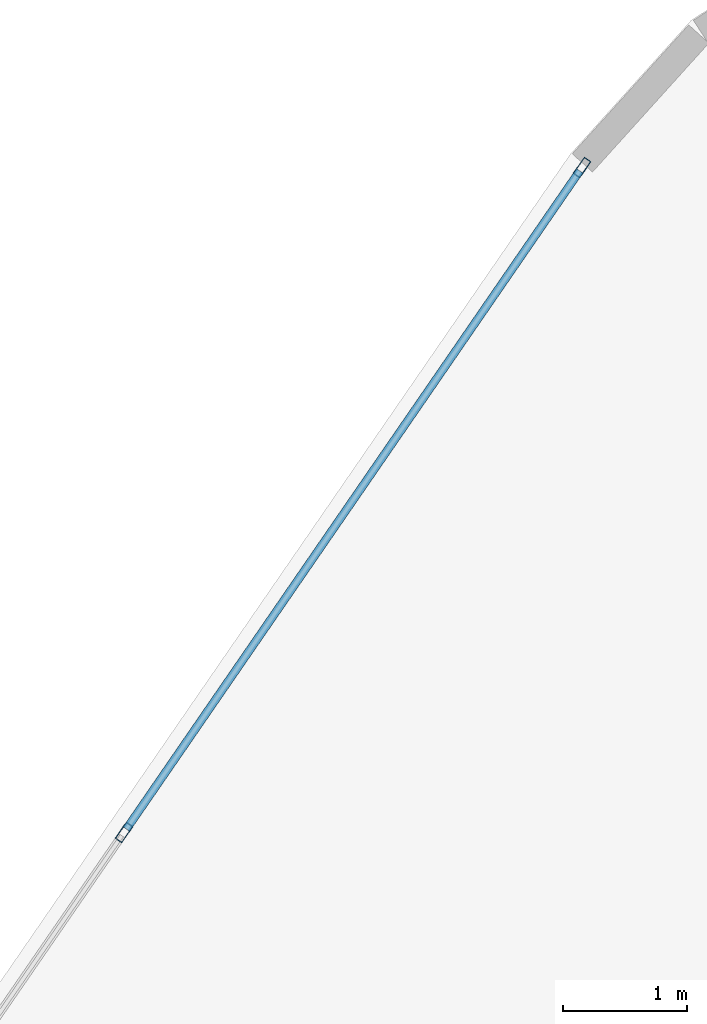
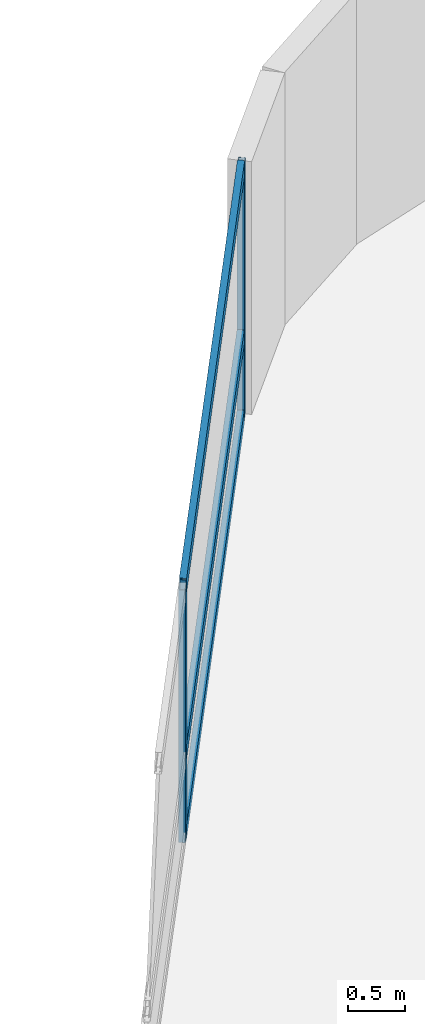
# One storey, part 15 of 25: 5 members, 1 element without a shape of its own.
"""IFC4 building model written with IfcOpenShell, lengths in metres."""

from ifc_helpers import new_model, si_unit, direction, frame, origin, origin_2d, place, context, subcontext, project, spatial, hollow_rectangle, extrude, material, layer, layer_set, material_profile, profile_set, type_object, element, aggregate, save


model = new_model("IFC4")

# Units and contexts
model_context = context("Model", 3, precision=1e-05, world=origin(), true_north=direction((0.0, 1.0)))
body_context = subcontext(model_context, "Body", "Model", "MODEL_VIEW")
ifc_project = project(units=[si_unit("LENGTHUNIT", "METRE"), si_unit("AREAUNIT", "SQUARE_METRE"), si_unit("VOLUMEUNIT", "CUBIC_METRE"), si_unit("PLANEANGLEUNIT", "RADIAN"), si_unit("MASSUNIT", "GRAM", prefix="KILO")], contexts=[model_context])

# Site, building, storey
site_placement = place(None, origin())
site = spatial("IfcSite", under=ifc_project, at=site_placement, CompositionType="ELEMENT")
building_placement = place(site_placement, origin())
building = spatial("IfcBuilding", under=site, at=building_placement, Name="Varnelok Gate Tower", CompositionType="ELEMENT")
storey_placement = place(building_placement, frame((0.0, 0.0, 34.39990234375)))
storey = spatial("IfcBuildingStorey", under=building, at=storey_placement, Name="L07", CompositionType="ELEMENT", Elevation=34.39990234375)

# Curtain wall, members
ifc_material = material(Name="Anodized Aluminum Alloy 6063-T6", Category="aluminium")
ifc_layer = layer(ifc_material, 0.179931640625)
ifc_layer_set = layer_set([ifc_layer], Name="Anodized Aluminum Alloy 6063-T6")
curtain_wall_type = type_object("IfcCurtainWallType", Name="CW3-HOTEL-VISION", PredefinedType="USERDEFINED", material=ifc_layer_set)
curtain_wall_placement = place(storey_placement, origin())
curtain_wall = element("IfcCurtainWall", 1, at=curtain_wall_placement, inside=storey, type_object=curtain_wall_type, Name="L07 West End Vision Curtain Wall", ObjectType="UNITISED CURTAIN WALL", PredefinedType="USERDEFINED")
ifc_material_profile_1 = material_profile(ifc_material, hollow_rectangle(XDim=0.06494140625, YDim=0.159912109375, WallThickness=0.00390625, at=origin_2d()), Name="ALU160X65X4")
ifc_profile_set_1 = profile_set([ifc_material_profile_1], Name="Anodized Aluminum Alloy 6063-T6")
member_type_1 = type_object("IfcMemberType", Name="CW-MULL-160", PredefinedType="MULLION", material=ifc_profile_set_1)
member_1_placement = place(storey_placement, frame((14.48291015625, 58.273193359375, 0.0), z_axis=(0.0, 0.0, 1.0), x_axis=(-0.823532685111, 0.567268822124, 0.0)))
member_1 = element("IfcMember", 2, at=member_1_placement, type_object=member_type_1, Name="CW3 mullion 6", PredefinedType="MULLION", context=body_context, shape_type="SweptSolid", body=[
    extrude(hollow_rectangle(XDim=0.06494140625, YDim=0.159912109375, WallThickness=0.00390625, at=origin_2d()), origin(), (0.0, 0.0, 1.0), 2.72998046875),
])
member_2_placement = place(storey_placement, frame((18.189453125, 63.654296875, 0.0), z_axis=(0.0, 0.0, 1.0), x_axis=(-0.823532685111, 0.567268822124, 0.0)))
member_2 = element("IfcMember", 3, at=member_2_placement, type_object=member_type_1, Name="CW3 mullion 7", PredefinedType="MULLION", context=body_context, shape_type="SweptSolid", body=[
    extrude(hollow_rectangle(XDim=0.06494140625, YDim=0.159912109375, WallThickness=0.00390625, at=origin_2d()), origin(), (0.0, 0.0, 1.0), 2.72998046875),
])
ifc_material_profile_2 = material_profile(ifc_material, hollow_rectangle(XDim=0.06494140625, YDim=0.159912109375, WallThickness=0.00390625, at=origin_2d()), Name="ALU160X65X4")
ifc_profile_set_2 = profile_set([ifc_material_profile_2], Name="Anodized Aluminum Alloy 6063-T6")
member_type_2 = type_object("IfcMemberType", Name="CW-TRAN-160", PredefinedType="USERDEFINED", material=ifc_profile_set_2)
member_3_placement = place(storey_placement, frame((14.50146484375, 58.300048828125, 0.03271484375), z_axis=(0.567255754851, 0.823541686006, 0.0), x_axis=(-0.823541686006, 0.567255754851, 0.0)))
member_3 = element("IfcMember", 4, at=member_3_placement, type_object=member_type_2, Name="CW3 transom 6.1", ObjectType="TRANSOM", PredefinedType="USERDEFINED", context=body_context, shape_type="SweptSolid", body=[
    extrude(hollow_rectangle(XDim=0.06494140625, YDim=0.159912109375, WallThickness=0.00390625, at=origin_2d()), origin(), (0.0, 0.0, 1.0), 6.46923828125),
])
member_4_placement = place(storey_placement, frame((14.50146484375, 58.300048828125, 0.900146484375), z_axis=(0.567255754851, 0.823541686006, 0.0), x_axis=(-0.823541686006, 0.567255754851, 0.0)))
member_4 = element("IfcMember", 5, at=member_4_placement, type_object=member_type_2, Name="CW3 transom 6.2", ObjectType="TRANSOM", PredefinedType="USERDEFINED", context=body_context, shape_type="SweptSolid", body=[
    extrude(hollow_rectangle(XDim=0.06494140625, YDim=0.159912109375, WallThickness=0.00390625, at=origin_2d()), origin(), (0.0, 0.0, 1.0), 6.46923828125),
])
member_5_placement = place(storey_placement, frame((14.50146484375, 58.300048828125, 2.697509765625), z_axis=(0.567255754851, 0.823541686006, 0.0), x_axis=(-0.823541686006, 0.567255754851, 0.0)))
member_5 = element("IfcMember", 6, at=member_5_placement, type_object=member_type_2, Name="CW3 transom 6.3", ObjectType="TRANSOM", PredefinedType="USERDEFINED", context=body_context, shape_type="SweptSolid", body=[
    extrude(hollow_rectangle(XDim=0.06494140625, YDim=0.159912109375, WallThickness=0.00390625, at=origin_2d()), origin(), (0.0, 0.0, 1.0), 6.46923828125),
])
aggregate(curtain_wall, [member_1, member_2, member_3, member_4, member_5])

save(model, "model.ifc")
